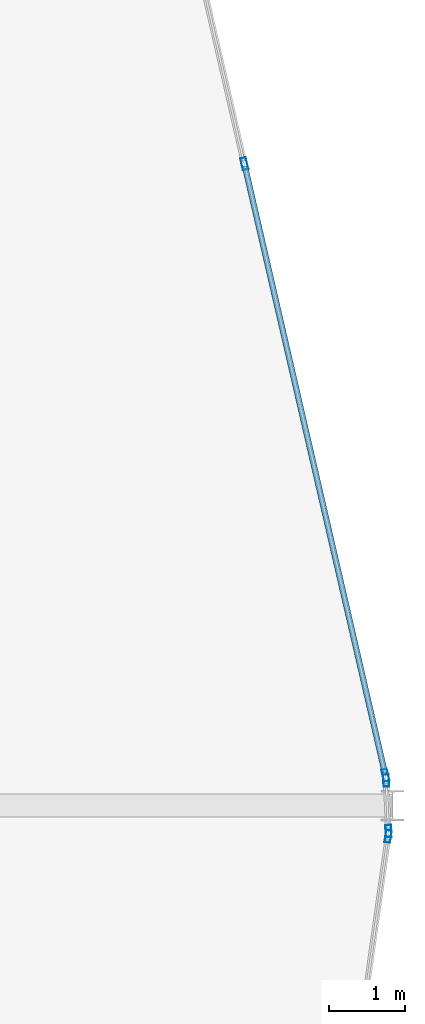
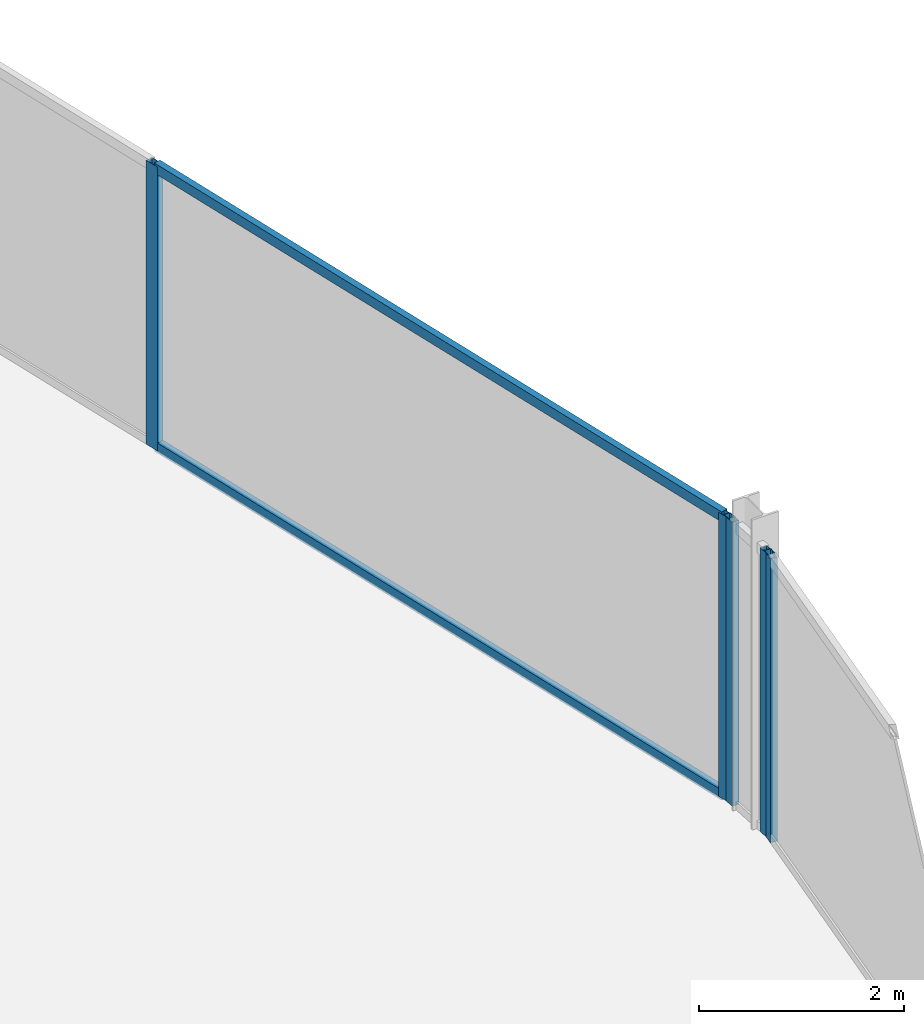
# One storey, part 14 of 27: 7 members, 3 elements without a shape of their own.
"""IFC4 building model written with IfcOpenShell, lengths in metres."""

from ifc_helpers import new_model, si_unit, direction, frame, origin, origin_2d, place, context, subcontext, project, spatial, hollow_rectangle, extrude, material, layer, layer_set, material_profile, profile_set, type_object, element, aggregate, save


model = new_model("IFC4")

# Units and contexts
model_context = context("Model", 3, precision=1e-05, world=origin(), true_north=direction((0.0, 1.0)))
body_context = subcontext(model_context, "Body", "Model", "MODEL_VIEW")
ifc_project = project(units=[si_unit("LENGTHUNIT", "METRE"), si_unit("AREAUNIT", "SQUARE_METRE"), si_unit("VOLUMEUNIT", "CUBIC_METRE"), si_unit("PLANEANGLEUNIT", "RADIAN"), si_unit("MASSUNIT", "GRAM", prefix="KILO")], contexts=[model_context])

# Site, building, storey
site_placement = place(None, origin())
site = spatial("IfcSite", under=ifc_project, at=site_placement, CompositionType="ELEMENT")
building_placement = place(site_placement, origin())
building = spatial("IfcBuilding", under=site, at=building_placement, Name="Keshet Zoharim Tower", CompositionType="ELEMENT")
storey_placement = place(building_placement, frame((0.0, 0.0, 307.300048828125)))
storey = spatial("IfcBuildingStorey", under=building, at=storey_placement, Name="L77", CompositionType="ELEMENT", Elevation=307.300048828125)

# Curtain wall, members
ifc_material = material(Name="Aluminium 6063-T6", Category="aluminium")
ifc_layer = layer(ifc_material, 0.260009765625)
ifc_layer_set = layer_set([ifc_layer], Name="Aluminium 6063-T6")
curtain_wall_type = type_object("IfcCurtainWallType", Name="CW-SYS-06", PredefinedType="NOTDEFINED", material=ifc_layer_set)
curtain_wall_1_placement = place(storey_placement, origin())
curtain_wall_1 = element("IfcCurtainWall", 1, at=curtain_wall_1_placement, inside=storey, type_object=curtain_wall_type, Name="L77 Unitised Curtain Wall 09", PredefinedType="NOTDEFINED")
ifc_material_profile_1 = material_profile(ifc_material, hollow_rectangle(XDim=0.074951171875, YDim=0.159912109375, WallThickness=0.00390625, at=origin_2d()), Name="MUL-75x160")
ifc_profile_set_1 = profile_set([ifc_material_profile_1], Name="Aluminium 6063-T6")
member_type_1 = type_object("IfcMemberType", Name="CWM-M15", PredefinedType="MULLION", material=ifc_profile_set_1)
member_1_placement = place(storey_placement, frame((43.063232421875, 36.291259765625, 0.0), z_axis=(0.0, 0.0, 1.0), x_axis=(0.974398012932, 0.224829963294, 0.0)))
member_1 = element("IfcMember", 2, at=member_1_placement, type_object=member_type_1, Name="CW-06 mullion 3", PredefinedType="MULLION", context=body_context, shape_type="SweptSolid", body=[
    extrude(hollow_rectangle(XDim=0.074951171875, YDim=0.159912109375, WallThickness=0.00390625, at=origin_2d()), origin(), (0.0, 0.0, 1.0), 3.389892578125),
])
member_2_placement = place(storey_placement, frame((44.908203125, 28.296142578125, 0.0), z_axis=(0.0, 0.0, 1.0), x_axis=(0.974398012932, 0.224829963294, 0.0)))
member_2 = element("IfcMember", 3, at=member_2_placement, type_object=member_type_1, Name="CW-06 mullion 4", PredefinedType="MULLION", context=body_context, shape_type="SweptSolid", body=[
    extrude(hollow_rectangle(XDim=0.074951171875, YDim=0.159912109375, WallThickness=0.00390625, at=origin_2d()), origin(), (0.0, 0.0, 1.0), 3.389892578125),
])

curtain_wall_2_placement = place(storey_placement, origin())
curtain_wall_2 = element("IfcCurtainWall", 4, at=curtain_wall_2_placement, inside=storey, type_object=curtain_wall_type, Name="L77 Unitised Curtain Wall 10", PredefinedType="NOTDEFINED")
member_3_placement = place(storey_placement, frame((44.91748046875, 28.22705078125, 0.0), z_axis=(0.0, 0.0, 1.0), x_axis=(0.999040601801, 0.043793560626, 0.0)))
member_3 = element("IfcMember", 5, at=member_3_placement, type_object=member_type_1, Name="CW-06 mullion 1", PredefinedType="MULLION", context=body_context, shape_type="SweptSolid", body=[
    extrude(hollow_rectangle(XDim=0.074951171875, YDim=0.159912109375, WallThickness=0.00390625, at=origin_2d()), origin(), (0.0, 0.0, 1.0), 3.389892578125),
])
member_4_placement = place(storey_placement, frame((44.946533203125, 27.56689453125, 0.0), z_axis=(0.0, 0.0, 1.0), x_axis=(0.999040601801, 0.043793560626, 0.0)))
member_4 = element("IfcMember", 6, at=member_4_placement, type_object=member_type_1, Name="CW-06 mullion 2", PredefinedType="MULLION", context=body_context, shape_type="SweptSolid", body=[
    extrude(hollow_rectangle(XDim=0.074951171875, YDim=0.159912109375, WallThickness=0.00390625, at=origin_2d()), origin(), (0.0, 0.0, 1.0), 3.389892578125),
])
aggregate(curtain_wall_2, [member_3, member_4])

# Curtain wall, member
curtain_wall_3_placement = place(storey_placement, origin())
curtain_wall_3 = element("IfcCurtainWall", 7, at=curtain_wall_3_placement, inside=storey, type_object=curtain_wall_type, Name="L77 Unitised Curtain Wall 11", PredefinedType="NOTDEFINED")
member_5_placement = place(storey_placement, frame((44.943115234375, 27.497314453125, 0.0), z_axis=(0.0, 0.0, 1.0), x_axis=(0.990132057422, -0.140137464177, 0.0)))
member_5 = element("IfcMember", 8, at=member_5_placement, type_object=member_type_1, Name="CW-06 mullion 1", PredefinedType="MULLION", context=body_context, shape_type="SweptSolid", body=[
    extrude(hollow_rectangle(XDim=0.074951171875, YDim=0.159912109375, WallThickness=0.00390625, at=origin_2d()), origin(), (0.0, 0.0, 1.0), 3.389892578125),
])
aggregate(curtain_wall_3, [member_5])

# Member
ifc_material_profile_2 = material_profile(ifc_material, hollow_rectangle(XDim=0.074951171875, YDim=0.1201171875, WallThickness=0.00390625, at=origin_2d()), Name="TRN-75x120")
ifc_profile_set_2 = profile_set([ifc_material_profile_2], Name="Aluminium 6063-T6")
member_type_2 = type_object("IfcMemberType", Name="CWT-T12", PredefinedType="USERDEFINED", material=ifc_profile_set_2)
member_6_placement = place(storey_placement, frame((43.0712890625, 36.25732421875, 0.034912109375), z_axis=(0.224806904107, -0.974403333259, 0.0), x_axis=(0.974403333259, 0.224806904107, 0.0)))
member_6 = element("IfcMember", 9, at=member_6_placement, type_object=member_type_2, Name="CW-06 transom 3.1", ObjectType="TRANSOM", PredefinedType="USERDEFINED", context=body_context, shape_type="SweptSolid", body=[
    extrude(hollow_rectangle(XDim=0.074951171875, YDim=0.1201171875, WallThickness=0.00390625, at=origin_2d()), origin(), (0.0, 0.0, 1.0), 8.13525390625),
])

member_7_placement = place(storey_placement, frame((43.0712890625, 36.25732421875, 3.35498046875), z_axis=(0.224806904107, -0.974403333259, 0.0), x_axis=(0.974403333259, 0.224806904107, 0.0)))
member_7 = element("IfcMember", 10, at=member_7_placement, type_object=member_type_2, Name="CW-06 transom 3.2", ObjectType="TRANSOM", PredefinedType="USERDEFINED", context=body_context, shape_type="SweptSolid", body=[
    extrude(hollow_rectangle(XDim=0.074951171875, YDim=0.1201171875, WallThickness=0.00390625, at=origin_2d()), origin(), (0.0, 0.0, 1.0), 8.13525390625),
])

aggregate(curtain_wall_1, [member_1, member_2, member_6, member_7])

save(model, "model.ifc")
